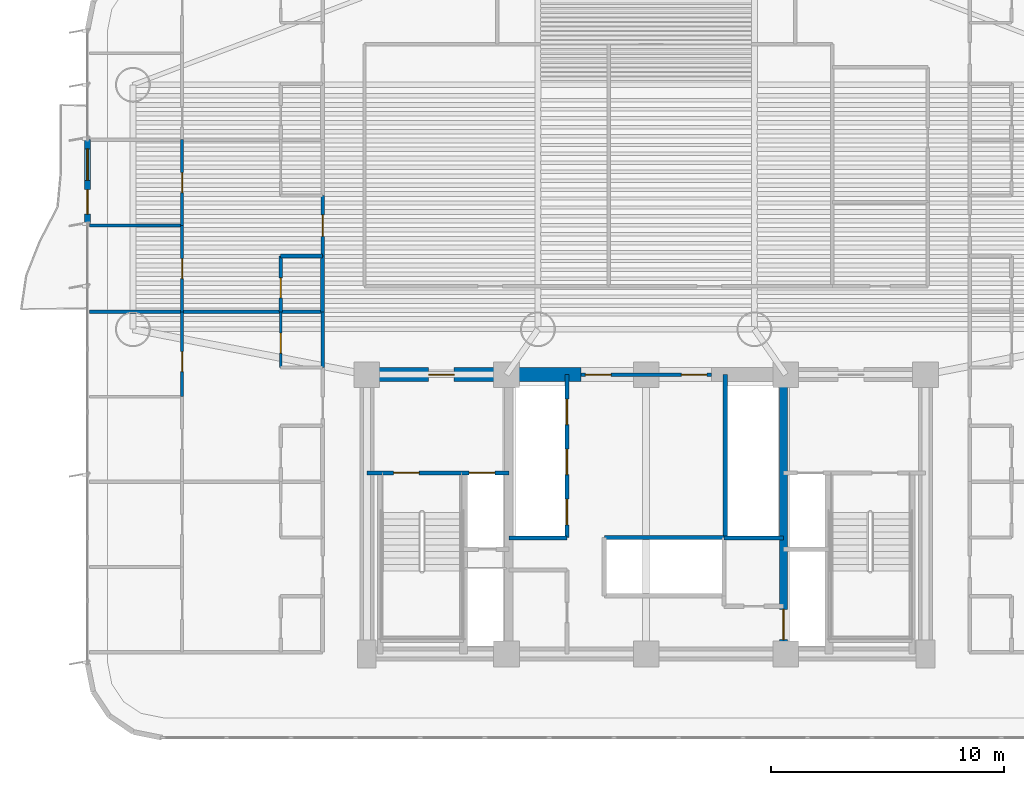
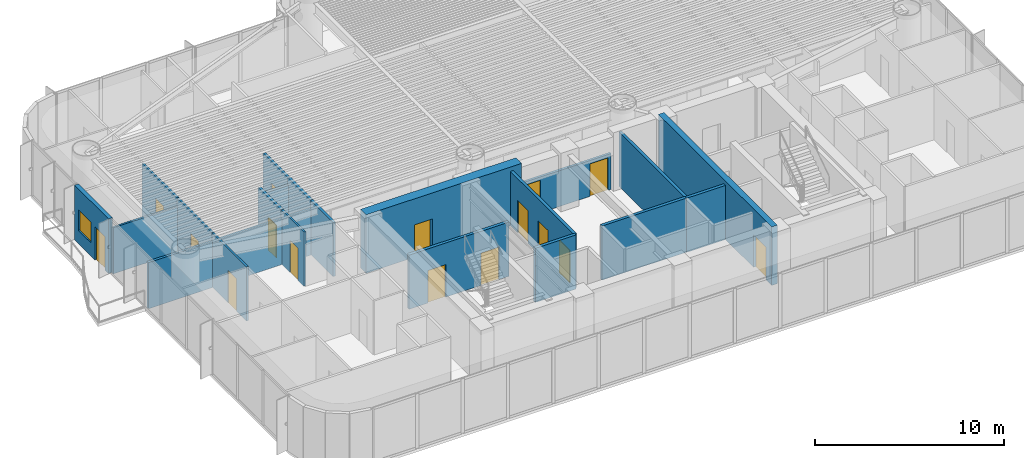
# One storey, part 11 of 19: 21 walls, 16 doors, 1 window, 17 openings.
"""IFC4 building model written with IfcOpenShell, lengths in metres."""

from ifc_helpers import new_model, si_unit, direction, frame, frame_2d, origin, origin_2d, place, context, subcontext, project, spatial, rectangle, extrude, source, transform, mapped, material, layer, layer_set, type_object, element, fill, save


model = new_model("IFC4")

# Units and contexts
model_context = context("Model", 3, precision=1e-05, world=origin(), true_north=direction((0.0, 1.0)))
body_context = subcontext(model_context, "Body", "Model", "MODEL_VIEW")
ifc_project = project(units=[si_unit("LENGTHUNIT", "METRE"), si_unit("AREAUNIT", "SQUARE_METRE"), si_unit("VOLUMEUNIT", "CUBIC_METRE"), si_unit("PLANEANGLEUNIT", "RADIAN"), si_unit("MASSUNIT", "GRAM", prefix="KILO")], contexts=[model_context])

# Site, building, storey
site_placement = place(None, origin())
site = spatial("IfcSite", under=ifc_project, at=site_placement, CompositionType="ELEMENT")
building_placement = place(site_placement, origin())
building = spatial("IfcBuilding", under=site, at=building_placement, Name="Brelvock Crest Care Tower", CompositionType="ELEMENT")
storey_placement = place(building_placement, frame((0.0, 0.0, 34.56005859375)))
storey = spatial("IfcBuildingStorey", under=building, at=storey_placement, Name="L08", CompositionType="ELEMENT", Elevation=34.56005859375)

# Wall, opening, door
ifc_material_1 = material(Name="Concrete S80 (80 MPa)", Category="concrete")
ifc_layer_1 = layer(ifc_material_1, 0.60009765625, Name="WL-CS1")
ifc_layer_set_1 = layer_set([ifc_layer_1], Name="Concrete S80 (80 MPa)")
wall_type_1 = type_object("IfcWallType", Name="WL-CS1", PredefinedType="SHEAR", material=ifc_layer_set_1)
wall_1_placement = place(storey_placement, frame((23.699951171875, 18.0, 0.0), z_axis=(0.0, 0.0, 1.0), x_axis=(1.0, 0.0, 0.0)))
wall_1 = element("IfcWall", 1, at=wall_1_placement, inside=storey, type_object=wall_type_1, Name="L08 Core North-West Shear Wall", PredefinedType="SHEAR", context=body_context, shape_type="SweptSolid", body=[
    extrude(rectangle(XDim=9.5, YDim=0.60009765625, at=frame_2d((4.75, 0.0))), origin(), (0.0, 0.0, 1.0), 3.780029296875),
])
opening_1_placement = place(wall_1_placement, frame((2.949951171875, 0.0, 0.0)))
opening_1 = element("IfcOpeningElement", 2, at=opening_1_placement, cuts=wall_1, Name="Opening FD-1", PredefinedType="OPENING", context=body_context, shape_type="SweptSolid", body=[
    extrude(rectangle(XDim=1.10009765625, YDim=2.10009765625, at=origin_2d()), frame((0.550048828125, 0.31005859375, 1.050048828125), z_axis=(0.0, -1.0, 0.0), x_axis=(1.0, 0.0, 0.0)), (0.0, 0.0, 1.0), 0.6201171875),
])
ifc_material_2 = material(Name="Steel Grade 350", Category="steel")
door_type_1 = type_object("IfcDoorType", Name="DR-FFL1", OperationType="NOTDEFINED", PredefinedType="DOOR", material=ifc_material_2)
shared_shape_1 = source(origin(), body_context, "Body", "SweptSolid", [
    extrude(rectangle(XDim=1.10009765625, YDim=2.10009765625, at=origin_2d()), frame((0.550048828125, 0.02490234375, 1.050048828125), z_axis=(0.0, -1.0, 0.0), x_axis=(1.0, 0.0, 0.0)), (0.0, 0.0, 1.0), 0.050048828125),
])
door_1_placement = place(opening_1_placement, origin())
door_1 = element("IfcDoor", 3, at=door_1_placement, inside=storey, type_object=door_type_1, Name="L08 Firefighting Lobby FFL-1 Exit Door", OperationType="SINGLE_SWING_LEFT", OverallHeight=2.10009765625, OverallWidth=1.10009765625, PredefinedType="DOOR", context=body_context, shape_type="MappedRepresentation", body=[
    mapped(shared_shape_1, transform((0.0, 0.0, 0.0), x_axis=(1.0, 0.0, 0.0), y_axis=(0.0, 1.0, 0.0), z_axis=(0.0, 0.0, 1.0), scale=1.0)),
])
fill(opening_1, door_1)

ifc_layer_2 = layer(ifc_material_1, 0.35009765625, Name="WL-CS5")
ifc_layer_set_2 = layer_set([ifc_layer_2], Name="Concrete S80 (80 MPa)")
wall_type_2 = type_object("IfcWallType", Name="WL-CS5", PredefinedType="SHEAR", material=ifc_layer_set_2)
wall_2_placement = place(storey_placement, frame((41.89990234375, 18.0, 0.0), z_axis=(0.0, 0.0, 1.0), x_axis=(0.0, -1.0, 0.0)))
wall_2 = element("IfcWall", 4, at=wall_2_placement, inside=storey, type_object=wall_type_2, Name="L08 Core Internal Web Wall East", PredefinedType="SHEAR", context=body_context, shape_type="SweptSolid", body=[
    extrude(rectangle(XDim=12.0, YDim=0.35009765625, at=frame_2d((6.0, 0.0))), origin(), (0.0, 0.0, 1.0), 3.780029296875),
])
opening_2_placement = place(wall_2_placement, frame((10.080078125, 0.0, 0.0)))
opening_2 = element("IfcOpeningElement", 5, at=opening_2_placement, cuts=wall_2, Name="Opening LD-S", PredefinedType="OPENING", context=body_context, shape_type="SweptSolid", body=[
    extrude(rectangle(XDim=1.300048828125, YDim=2.10009765625, at=origin_2d()), frame((0.64990234375, 0.18505859375, 1.050048828125), z_axis=(0.0, -1.0, 0.0), x_axis=(1.0, 0.0, 0.0)), (0.0, 0.0, 1.0), 0.3701171875),
])
door_type_2 = type_object("IfcDoorType", Name="DR-LDS1", OperationType="NOTDEFINED", PredefinedType="DOOR", material=ifc_material_2)
shared_shape_2 = source(origin(), body_context, "Body", "SweptSolid", [
    extrude(rectangle(XDim=1.300048828125, YDim=2.10009765625, at=origin_2d()), frame((0.64990234375, 0.02490234375, 1.050048828125), z_axis=(0.0, -1.0, 0.0), x_axis=(1.0, 0.0, 0.0)), (0.0, 0.0, 1.0), 0.050048828125),
])
door_2_placement = place(opening_2_placement, origin())
door_2 = element("IfcDoor", 6, at=door_2_placement, inside=storey, type_object=door_type_2, Name="L08 Clinical Bed Lift SL-1 Landing Door", OperationType="SLIDING_TO_LEFT", OverallHeight=2.10009765625, OverallWidth=1.300048828125, PredefinedType="DOOR", context=body_context, shape_type="MappedRepresentation", body=[
    mapped(shared_shape_2, transform((0.0, 0.0, 0.0), x_axis=(1.0, 0.0, 0.0), y_axis=(0.0, 1.0, 0.0), z_axis=(0.0, 0.0, 1.0), scale=1.0)),
])
fill(opening_2, door_2)

# Wall, openings, door, window
ifc_material_3 = material(Name="Precast concrete N40 (40 MPa)", Category="concrete")
ifc_layer_3 = layer(ifc_material_3, 0.239990234375, Name="WL-EX1")
ifc_layer_set_3 = layer_set([ifc_layer_3], Name="Precast concrete N40 (40 MPa)")
wall_type_3 = type_object("IfcWallType", Name="WL-EX1", PredefinedType="SOLIDWALL", material=ifc_layer_set_3)
wall_3_placement = place(storey_placement, frame((12.0, 24.5, 0.0), z_axis=(0.0, 0.0, 1.0), x_axis=(0.0, 1.0, 0.0)))
wall_3 = element("IfcWall", 7, at=wall_3_placement, inside=storey, type_object=wall_type_3, Name="L08 Exterior Spandrel Wall WL-BAL-L08-W", PredefinedType="SOLIDWALL", context=body_context, shape_type="SweptSolid", body=[
    extrude(rectangle(XDim=3.60009765625, YDim=0.239990234375, at=frame_2d((1.800048828125, 0.0))), origin(), (0.0, 0.0, 1.0), 3.530029296875),
])
opening_3_placement = place(wall_3_placement, frame((0.39990234375, 0.0, 0.0)))
opening_3 = element("IfcOpeningElement", 8, at=opening_3_placement, cuts=wall_3, Name="Opening BD-1", PredefinedType="OPENING", context=body_context, shape_type="SweptSolid", body=[
    extrude(rectangle(XDim=1.050048828125, YDim=2.14990234375, at=origin_2d()), frame((0.52490234375, 0.1298828125, 1.074951171875), z_axis=(0.0, -1.0, 0.0), x_axis=(1.0, 0.0, 0.0)), (0.0, 0.0, 1.0), 0.260009765625),
])
opening_4_placement = place(wall_3_placement, frame((1.85009765625, 0.0, 0.85009765625)))
opening_4 = element("IfcOpeningElement", 9, at=opening_4_placement, cuts=wall_3, Name="Opening W-01", PredefinedType="OPENING", context=body_context, shape_type="SweptSolid", body=[
    extrude(rectangle(XDim=1.35009765625, YDim=1.35009765625, at=origin_2d()), frame((0.675048828125, 0.1298828125, 0.675048828125), z_axis=(0.0, -1.0, 0.0), x_axis=(1.0, 0.0, 0.0)), (0.0, 0.0, 1.0), 0.260009765625),
])
ifc_material_4 = material(Name="Dark Glass Double Glazed Low-E", Category="glass")
door_type_3 = type_object("IfcDoorType", Name="DR-BAL1", OperationType="NOTDEFINED", PredefinedType="DOOR", material=ifc_material_4)
shared_shape_3 = source(origin(), body_context, "Body", "SweptSolid", [
    extrude(rectangle(XDim=1.050048828125, YDim=2.14990234375, at=origin_2d()), frame((0.52490234375, 0.02490234375, 1.074951171875), z_axis=(0.0, -1.0, 0.0), x_axis=(1.0, 0.0, 0.0)), (0.0, 0.0, 1.0), 0.050048828125),
])
door_3_placement = place(opening_3_placement, origin())
door_3 = element("IfcDoor", 10, at=door_3_placement, inside=storey, type_object=door_type_3, Name="L08 W Wave Balcony Glazed Door", OperationType="SINGLE_SWING_LEFT", OverallHeight=2.14990234375, OverallWidth=1.050048828125, PredefinedType="DOOR", context=body_context, shape_type="MappedRepresentation", body=[
    mapped(shared_shape_3, transform((0.0, 0.0, 0.0), x_axis=(1.0, 0.0, 0.0), y_axis=(0.0, 1.0, 0.0), z_axis=(0.0, 0.0, 1.0), scale=1.0)),
])
fill(opening_3, door_3)
window_type = type_object("IfcWindowType", Name="WN-EX1", PartitioningType="SINGLE_PANEL", PredefinedType="WINDOW", material=ifc_material_4)
shared_shape_4 = source(origin(), body_context, "Body", "SweptSolid", [
    extrude(rectangle(XDim=1.35009765625, YDim=1.35009765625, at=origin_2d()), frame((0.675048828125, 0.030029296875, 0.675048828125), z_axis=(0.0, -1.0, 0.0), x_axis=(1.0, 0.0, 0.0)), (0.0, 0.0, 1.0), 0.06005859375),
])
window_placement = place(opening_4_placement, origin())
window = element("IfcWindow", 11, at=window_placement, inside=storey, type_object=window_type, Name="L08 W Suite Casement Window", OverallHeight=1.35009765625, OverallWidth=1.35009765625, PartitioningType="SINGLE_PANEL", PredefinedType="WINDOW", context=body_context, shape_type="MappedRepresentation", body=[
    mapped(shared_shape_4, transform((0.0, 0.0, 0.0), x_axis=(1.0, 0.0, 0.0), y_axis=(0.0, 1.0, 0.0), z_axis=(0.0, 0.0, 1.0), scale=1.0)),
])
fill(opening_4, window)

# Wall, openings, doors
ifc_material_5 = material(Name="Masonry Blockwork Acoustic Partition", Category="masonry")
ifc_layer_4 = layer(ifc_material_5, 0.14990234375, Name="WL-INT1")
ifc_layer_set_4 = layer_set([ifc_layer_4], Name="Masonry Blockwork Acoustic Partition")
wall_type_4 = type_object("IfcWallType", Name="WL-INT1", PredefinedType="PARTITIONING", material=ifc_layer_set_4)
wall_4_placement = place(storey_placement, frame((33.199951171875, 18.0, 0.0), z_axis=(0.0, 0.0, 1.0), x_axis=(1.0, 0.0, 0.0)))
wall_4 = element("IfcWall", 12, at=wall_4_placement, inside=storey, type_object=wall_type_4, Name="L08 Interior Wall WL-CORE-NPORT-L08", PredefinedType="PARTITIONING", context=body_context, shape_type="SweptSolid", body=[
    extrude(rectangle(XDim=5.60009765625, YDim=0.14990234375, at=frame_2d((2.800048828125, 0.0))), origin(), (0.0, 0.0, 1.0), 2.31494140625),
])
opening_5_placement = place(wall_4_placement, frame((0.18994140625, 0.0, 0.0)))
opening_5 = element("IfcOpeningElement", 13, at=opening_5_placement, cuts=wall_4, Name="Opening FD-1", PredefinedType="OPENING", context=body_context, shape_type="SweptSolid", body=[
    extrude(rectangle(XDim=1.10009765625, YDim=2.10009765625, at=origin_2d()), frame((0.550048828125, 0.0849609375, 1.050048828125), z_axis=(0.0, -1.0, 0.0), x_axis=(1.0, 0.0, 0.0)), (0.0, 0.0, 1.0), 0.169921875),
])
opening_6_placement = place(wall_4_placement, frame((4.31005859375, 0.0, 0.0)))
opening_6 = element("IfcOpeningElement", 14, at=opening_6_placement, cuts=wall_4, Name="Opening FD-1", PredefinedType="OPENING", context=body_context, shape_type="SweptSolid", body=[
    extrude(rectangle(XDim=1.10009765625, YDim=2.10009765625, at=origin_2d()), frame((0.550048828125, 0.0849609375, 1.050048828125), z_axis=(0.0, -1.0, 0.0), x_axis=(1.0, 0.0, 0.0)), (0.0, 0.0, 1.0), 0.169921875),
])
door_4_placement = place(opening_5_placement, origin())
door_4 = element("IfcDoor", 15, at=door_4_placement, inside=storey, type_object=door_type_1, Name="L08 Lift Lobby North Smoke Door West", OperationType="SINGLE_SWING_LEFT", OverallHeight=2.10009765625, OverallWidth=1.10009765625, PredefinedType="DOOR", context=body_context, shape_type="MappedRepresentation", body=[
    mapped(shared_shape_1, transform((0.0, 0.0, 0.0), x_axis=(1.0, 0.0, 0.0), y_axis=(0.0, 1.0, 0.0), z_axis=(0.0, 0.0, 1.0), scale=1.0)),
])
fill(opening_5, door_4)
door_5_placement = place(opening_6_placement, origin())
door_5 = element("IfcDoor", 16, at=door_5_placement, inside=storey, type_object=door_type_1, Name="L08 Lift Lobby North Smoke Door East", OperationType="SINGLE_SWING_RIGHT", OverallHeight=2.10009765625, OverallWidth=1.10009765625, PredefinedType="DOOR", context=body_context, shape_type="MappedRepresentation", body=[
    mapped(shared_shape_1, transform((0.0, 0.0, 0.0), x_axis=(1.0, 0.0, 0.0), y_axis=(0.0, 1.0, 0.0), z_axis=(0.0, 0.0, 1.0), scale=1.0)),
])
fill(opening_6, door_5)

# Walls
wall_5_placement = place(storey_placement, frame((12.080078125, 20.699951171875, 0.0), z_axis=(0.0, 0.0, 1.0), x_axis=(1.0, 0.0, 0.0)))
element("IfcWall", 17, at=wall_5_placement, inside=storey, type_object=wall_type_4, Name="L08 Interior Wall WL-BX-L08-FL-WW2-N", PredefinedType="PARTITIONING", context=body_context, shape_type="SweptSolid", body=[
    extrude(rectangle(XDim=10.02001953125, YDim=0.14990234375, at=frame_2d((5.010009765625, 0.0))), origin(), (0.0, 0.0, 1.0), 2.98193359375),
])
wall_6_placement = place(storey_placement, frame((22.10009765625, 18.300048828125, 0.0), z_axis=(0.0, 0.0, 1.0), x_axis=(0.0, 1.0, 0.0)))
element("IfcWall", 18, at=wall_6_placement, inside=storey, type_object=wall_type_4, Name="L08 Interior Wall WL-UCK-L08-WW2", PredefinedType="PARTITIONING", context=body_context, shape_type="SweptSolid", body=[
    extrude(rectangle(XDim=2.39990234375, YDim=0.14990234375, at=frame_2d((1.199951171875, 0.0))), origin(), (0.0, 0.0, 1.0), 3.5),
])

# Wall, opening, door
wall_7_placement = place(storey_placement, frame((22.10009765625, 23.10009765625, 0.0), z_axis=(0.0, 0.0, 1.0), x_axis=(0.0, 1.0, 0.0)))
wall_7 = element("IfcWall", 19, at=wall_7_placement, inside=storey, type_object=wall_type_4, Name="L08 Interior Wall WL-UENT-L08-WW3", PredefinedType="PARTITIONING", context=body_context, shape_type="SweptSolid", body=[
    extrude(rectangle(XDim=2.599853515625, YDim=0.14990234375, at=frame_2d((1.2998046875, 0.0))), origin(), (0.0, 0.0, 1.0), 3.5),
])
opening_7_placement = place(wall_7_placement, frame((0.840087890625, 0.0, 0.0)))
opening_7 = element("IfcOpeningElement", 20, at=opening_7_placement, cuts=wall_7, Name="Opening AD-1", PredefinedType="OPENING", context=body_context, shape_type="SweptSolid", body=[
    extrude(rectangle(XDim=0.919921875, YDim=2.10009765625, at=origin_2d()), frame((0.4599609375, 0.0849609375, 1.050048828125), z_axis=(0.0, -1.0, 0.0), x_axis=(1.0, 0.0, 0.0)), (0.0, 0.0, 1.0), 0.169921875),
])
ifc_material_6 = material(Name="Engineered Hardwood Timber", Category="wood")
door_type_4 = type_object("IfcDoorType", Name="DR-APT1", OperationType="NOTDEFINED", PredefinedType="DOOR", material=ifc_material_6)
shared_shape_5 = source(origin(), body_context, "Body", "SweptSolid", [
    extrude(rectangle(XDim=0.919921875, YDim=2.10009765625, at=origin_2d()), frame((0.4599609375, 0.02490234375, 1.050048828125), z_axis=(0.0, -1.0, 0.0), x_axis=(1.0, 0.0, 0.0)), (0.0, 0.0, 1.0), 0.050048828125),
])
door_6_placement = place(opening_7_placement, origin())
door_6 = element("IfcDoor", 21, at=door_6_placement, inside=storey, type_object=door_type_4, Name="L08 Apartment Entrance WW3", OperationType="SINGLE_SWING_LEFT", OverallHeight=2.10009765625, OverallWidth=0.919921875, PredefinedType="DOOR", context=body_context, shape_type="MappedRepresentation", body=[
    mapped(shared_shape_5, transform((0.0, 0.0, 0.0), x_axis=(1.0, 0.0, 0.0), y_axis=(0.0, 1.0, 0.0), z_axis=(0.0, 0.0, 1.0), scale=1.0)),
])
fill(opening_7, door_6)

# Wall
ifc_material_7 = material(Name="Gypsum Plasterboard Partition", Category="gypsum")
ifc_layer_5 = layer(ifc_material_7, 0.1201171875, Name="WL-INT2")
ifc_layer_set_5 = layer_set([ifc_layer_5], Name="Gypsum Plasterboard Partition")
wall_type_5 = type_object("IfcWallType", Name="WL-INT2", PredefinedType="PARTITIONING", material=ifc_layer_set_5)
wall_8_placement = place(storey_placement, frame((12.080078125, 24.39990234375, 0.0), z_axis=(0.0, 0.0, 1.0), x_axis=(1.0, 0.0, 0.0)))
element("IfcWall", 22, at=wall_8_placement, inside=storey, type_object=wall_type_5, Name="L08 Interior Wall WL-UBSP-L08-WW3", PredefinedType="PARTITIONING", context=body_context, shape_type="SweptSolid", body=[
    extrude(rectangle(XDim=3.98388671875, YDim=0.1201171875, at=frame_2d((1.991943359375, 0.0))), origin(), (0.0, 0.0, 1.0), 2.98193359375),
])

# Wall, opening, door
wall_9_placement = place(storey_placement, frame((16.06396484375, 17.050048828125, 0.0), z_axis=(0.0, 0.0, 1.0), x_axis=(0.0, 1.0, 0.0)))
wall_9 = element("IfcWall", 23, at=wall_9_placement, inside=storey, type_object=wall_type_5, Name="L08 Interior Wall WL-UBD2-L08-WW2", PredefinedType="PARTITIONING", context=body_context, shape_type="SweptSolid", body=[
    extrude(rectangle(XDim=3.64990234375, YDim=0.1201171875, at=frame_2d((1.824951171875, 0.0))), origin(), (0.0, 0.0, 1.0), 3.5),
])
opening_8_placement = place(wall_9_placement, frame((1.074951171875, 0.0, 0.0)))
opening_8 = element("IfcOpeningElement", 24, at=opening_8_placement, cuts=wall_9, Name="Opening ID-1", PredefinedType="OPENING", context=body_context, shape_type="SweptSolid", body=[
    extrude(rectangle(XDim=0.860107421875, YDim=2.10009765625, at=origin_2d()), frame((0.43017578125, 0.070068359375, 1.050048828125), z_axis=(0.0, -1.0, 0.0), x_axis=(1.0, 0.0, 0.0)), (0.0, 0.0, 1.0), 0.14013671875),
])
door_type_5 = type_object("IfcDoorType", Name="DR-INT1", OperationType="NOTDEFINED", PredefinedType="DOOR", material=ifc_material_6)
shared_shape_6 = source(origin(), body_context, "Body", "SweptSolid", [
    extrude(rectangle(XDim=0.860107421875, YDim=2.10009765625, at=origin_2d()), frame((0.43017578125, 0.02490234375, 1.050048828125), z_axis=(0.0, -1.0, 0.0), x_axis=(1.0, 0.0, 0.0)), (0.0, 0.0, 1.0), 0.050048828125),
])
door_7_placement = place(opening_8_placement, origin())
door_7 = element("IfcDoor", 25, at=door_7_placement, inside=storey, type_object=door_type_5, Name="L08 Second Room Door WW2", OperationType="SINGLE_SWING_LEFT", OverallHeight=2.10009765625, OverallWidth=0.860107421875, PredefinedType="DOOR", context=body_context, shape_type="MappedRepresentation", body=[
    mapped(shared_shape_6, transform((0.0, 0.0, 0.0), x_axis=(1.0, 0.0, 0.0), y_axis=(0.0, 1.0, 0.0), z_axis=(0.0, 0.0, 1.0), scale=1.0)),
])
fill(opening_8, door_7)

wall_10_placement = place(storey_placement, frame((16.06396484375, 20.699951171875, 0.0), z_axis=(0.0, 0.0, 1.0), x_axis=(0.0, 1.0, 0.0)))
wall_10 = element("IfcWall", 26, at=wall_10_placement, inside=storey, type_object=wall_type_5, Name="L08 Interior Wall WL-UBD1-L08-WW3", PredefinedType="PARTITIONING", context=body_context, shape_type="SweptSolid", body=[
    extrude(rectangle(XDim=3.699951171875, YDim=0.1201171875, at=frame_2d((1.85009765625, 0.0))), origin(), (0.0, 0.0, 1.0), 3.5),
])
opening_9_placement = place(wall_10_placement, frame((1.419921875, 0.0, 0.0)))
opening_9 = element("IfcOpeningElement", 27, at=opening_9_placement, cuts=wall_10, Name="Opening ID-1", PredefinedType="OPENING", context=body_context, shape_type="SweptSolid", body=[
    extrude(rectangle(XDim=0.860107421875, YDim=2.10009765625, at=origin_2d()), frame((0.43017578125, 0.070068359375, 1.050048828125), z_axis=(0.0, -1.0, 0.0), x_axis=(1.0, 0.0, 0.0)), (0.0, 0.0, 1.0), 0.14013671875),
])
door_8_placement = place(opening_9_placement, origin())
door_8 = element("IfcDoor", 28, at=door_8_placement, inside=storey, type_object=door_type_5, Name="L08 Primary Bedroom Door WW3", OperationType="SINGLE_SWING_RIGHT", OverallHeight=2.10009765625, OverallWidth=0.860107421875, PredefinedType="DOOR", context=body_context, shape_type="MappedRepresentation", body=[
    mapped(shared_shape_6, transform((0.0, 0.0, 0.0), x_axis=(1.0, 0.0, 0.0), y_axis=(0.0, 1.0, 0.0), z_axis=(0.0, 0.0, 1.0), scale=1.0)),
])
fill(opening_9, door_8)

wall_11_placement = place(storey_placement, frame((16.06396484375, 24.39990234375, 0.0), z_axis=(0.0, 0.0, 1.0), x_axis=(0.0, 1.0, 0.0)))
wall_11 = element("IfcWall", 29, at=wall_11_placement, inside=storey, type_object=wall_type_5, Name="L08 Interior Wall WL-UBD2-L08-WW3", PredefinedType="PARTITIONING", context=body_context, shape_type="SweptSolid", body=[
    extrude(rectangle(XDim=3.7001953125, YDim=0.1201171875, at=frame_2d((1.85009765625, 0.0))), origin(), (0.0, 0.0, 1.0), 3.5),
])
opening_10_placement = place(wall_11_placement, frame((1.419921875, 0.0, 0.0)))
opening_10 = element("IfcOpeningElement", 30, at=opening_10_placement, cuts=wall_11, Name="Opening ID-1", PredefinedType="OPENING", context=body_context, shape_type="SweptSolid", body=[
    extrude(rectangle(XDim=0.860107421875, YDim=2.10009765625, at=origin_2d()), frame((0.43017578125, 0.070068359375, 1.050048828125), z_axis=(0.0, -1.0, 0.0), x_axis=(1.0, 0.0, 0.0)), (0.0, 0.0, 1.0), 0.14013671875),
])
door_9_placement = place(opening_10_placement, origin())
door_9 = element("IfcDoor", 31, at=door_9_placement, inside=storey, type_object=door_type_5, Name="L08 Second Room Door WW3", OperationType="SINGLE_SWING_LEFT", OverallHeight=2.10009765625, OverallWidth=0.860107421875, PredefinedType="DOOR", context=body_context, shape_type="MappedRepresentation", body=[
    mapped(shared_shape_6, transform((0.0, 0.0, 0.0), x_axis=(1.0, 0.0, 0.0), y_axis=(0.0, 1.0, 0.0), z_axis=(0.0, 0.0, 1.0), scale=1.0)),
])
fill(opening_10, door_9)

wall_12_placement = place(storey_placement, frame((20.300048828125, 18.300048828125, 0.0), z_axis=(0.0, 0.0, 1.0), x_axis=(0.0, 1.0, 0.0)))
wall_12 = element("IfcWall", 32, at=wall_12_placement, inside=storey, type_object=wall_type_5, Name="L08 Interior Wall WL-UKIT1-L08-WW2", PredefinedType="PARTITIONING", context=body_context, shape_type="SweptSolid", body=[
    extrude(rectangle(XDim=2.39990234375, YDim=0.1201171875, at=frame_2d((1.199951171875, 0.0))), origin(), (0.0, 0.0, 1.0), 3.5),
])
opening_11_placement = place(wall_12_placement, frame((0.6201171875, 0.0, 0.0)))
opening_11 = element("IfcOpeningElement", 33, at=opening_11_placement, cuts=wall_12, Name="Opening ID-1", PredefinedType="OPENING", context=body_context, shape_type="SweptSolid", body=[
    extrude(rectangle(XDim=0.860107421875, YDim=2.10009765625, at=origin_2d()), frame((0.43017578125, 0.070068359375, 1.050048828125), z_axis=(0.0, -1.0, 0.0), x_axis=(1.0, 0.0, 0.0)), (0.0, 0.0, 1.0), 0.14013671875),
])
door_10_placement = place(opening_11_placement, origin())
door_10 = element("IfcDoor", 34, at=door_10_placement, inside=storey, type_object=door_type_5, Name="L08 Kitchen Door WW2", OperationType="SINGLE_SWING_LEFT", OverallHeight=2.10009765625, OverallWidth=0.860107421875, PredefinedType="DOOR", context=body_context, shape_type="MappedRepresentation", body=[
    mapped(shared_shape_6, transform((0.0, 0.0, 0.0), x_axis=(1.0, 0.0, 0.0), y_axis=(0.0, 1.0, 0.0), z_axis=(0.0, 0.0, 1.0), scale=1.0)),
])
fill(opening_11, door_10)

# Wall
ifc_layer_6 = layer(ifc_material_7, 0.159912109375, Name="WL-PLM1")
ifc_layer_set_6 = layer_set([ifc_layer_6], Name="Gypsum Plasterboard Partition")
wall_type_6 = type_object("IfcWallType", Name="WL-PLM1", PredefinedType="PLUMBINGWALL", material=ifc_layer_set_6)
wall_13_placement = place(storey_placement, frame((20.300048828125, 23.10009765625, 0.0), z_axis=(0.0, 0.0, 1.0), x_axis=(1.0, 0.0, 0.0)))
element("IfcWall", 35, at=wall_13_placement, inside=storey, type_object=wall_type_6, Name="L08 Interior Wall WL-UBTH2-L08-WW3", PredefinedType="PLUMBINGWALL", context=body_context, shape_type="SweptSolid", body=[
    extrude(rectangle(XDim=1.800048828125, YDim=0.159912109375, at=frame_2d((0.89990234375, 0.0))), origin(), (0.0, 0.0, 1.0), 3.054931640625),
])

# Wall, opening, door
wall_14_placement = place(storey_placement, frame((20.300048828125, 20.699951171875, 0.0), z_axis=(0.0, 0.0, 1.0), x_axis=(0.0, 1.0, 0.0)))
wall_14 = element("IfcWall", 36, at=wall_14_placement, inside=storey, type_object=wall_type_6, Name="L08 Interior Wall WL-UBTH1-L08-WW3", PredefinedType="PLUMBINGWALL", context=body_context, shape_type="SweptSolid", body=[
    extrude(rectangle(XDim=2.400146484375, YDim=0.159912109375, at=frame_2d((1.2001953125, 0.0))), origin(), (0.0, 0.0, 1.0), 3.5),
])
opening_12_placement = place(wall_14_placement, frame((0.60009765625, 0.0, 0.0)))
opening_12 = element("IfcOpeningElement", 37, at=opening_12_placement, cuts=wall_14, Name="Opening WD-1", PredefinedType="OPENING", context=body_context, shape_type="SweptSolid", body=[
    extrude(rectangle(XDim=0.860107421875, YDim=2.10009765625, at=origin_2d()), frame((0.43017578125, 0.08984375, 1.050048828125), z_axis=(0.0, -1.0, 0.0), x_axis=(1.0, 0.0, 0.0)), (0.0, 0.0, 1.0), 0.179931640625),
])
door_type_6 = type_object("IfcDoorType", Name="DR-WC1", OperationType="NOTDEFINED", PredefinedType="DOOR", material=ifc_material_6)
shared_shape_7 = source(origin(), body_context, "Body", "SweptSolid", [
    extrude(rectangle(XDim=0.860107421875, YDim=2.10009765625, at=origin_2d()), frame((0.43017578125, 0.02490234375, 1.050048828125), z_axis=(0.0, -1.0, 0.0), x_axis=(1.0, 0.0, 0.0)), (0.0, 0.0, 1.0), 0.050048828125),
])
door_11_placement = place(opening_12_placement, origin())
door_11 = element("IfcDoor", 38, at=door_11_placement, inside=storey, type_object=door_type_6, Name="L08 Bathroom Door WW3", OperationType="SINGLE_SWING_LEFT", OverallHeight=2.10009765625, OverallWidth=0.860107421875, PredefinedType="DOOR", context=body_context, shape_type="MappedRepresentation", body=[
    mapped(shared_shape_7, transform((0.0, 0.0, 0.0), x_axis=(1.0, 0.0, 0.0), y_axis=(0.0, 1.0, 0.0), z_axis=(0.0, 0.0, 1.0), scale=1.0)),
])
fill(opening_12, door_11)

# Walls
wall_15_placement = place(storey_placement, frame((22.10009765625, 20.699951171875, 0.0), z_axis=(0.0, 0.0, 1.0), x_axis=(0.0, 1.0, 0.0)))
element("IfcWall", 39, at=wall_15_placement, inside=storey, type_object=wall_type_6, Name="L08 Interior Wall WL-UCB-L08-WW3", PredefinedType="PLUMBINGWALL", context=body_context, shape_type="SweptSolid", body=[
    extrude(rectangle(XDim=2.400146484375, YDim=0.159912109375, at=frame_2d((1.2001953125, 0.0))), origin(), (0.0, 0.0, 1.0), 3.5),
])
ifc_layer_7 = layer(ifc_material_5, 0.179931640625, Name="WL-SHF1")
ifc_layer_set_7 = layer_set([ifc_layer_7], Name="Masonry Blockwork Acoustic Partition")
wall_type_7 = type_object("IfcWallType", Name="WL-SHF1", PredefinedType="PARTITIONING", material=ifc_layer_set_7)
wall_16_placement = place(storey_placement, frame((34.199951171875, 11.0, 0.0), z_axis=(0.0, 0.0, 1.0), x_axis=(1.0, 0.0, 0.0)))
element("IfcWall", 40, at=wall_16_placement, inside=storey, type_object=wall_type_7, Name="L08 Interior Wall WL-PLM-SHF-L08", PredefinedType="PARTITIONING", context=body_context, shape_type="SweptSolid", body=[
    extrude(rectangle(XDim=5.150146484375, YDim=0.179931640625, at=frame_2d((2.5751953125, 0.0))), origin(), (0.0, 0.0, 1.0), 3.5),
])
wall_17_placement = place(storey_placement, frame((39.39990234375, 11.0, 0.0), z_axis=(0.0, 0.0, 1.0), x_axis=(0.0, 1.0, 0.0)))
element("IfcWall", 41, at=wall_17_placement, inside=storey, type_object=wall_type_7, Name="L08 Interior Wall WL-PLH-SHF-L08", PredefinedType="PARTITIONING", context=body_context, shape_type="SweptSolid", body=[
    extrude(rectangle(XDim=7.0, YDim=0.179931640625, at=frame_2d((3.5, 0.0))), origin(), (0.0, 0.0, 1.0), 3.5),
])
wall_18_placement = place(storey_placement, frame((30.10009765625, 10.97998046875, 0.0), z_axis=(0.0, 0.0, 1.0), x_axis=(1.0, 0.0, 0.0)))
element("IfcWall", 42, at=wall_18_placement, inside=storey, type_object=wall_type_7, Name="L08 Interior Wall WL-CSBW-N-L08", PredefinedType="PARTITIONING", context=body_context, shape_type="SweptSolid", body=[
    extrude(rectangle(XDim=2.5, YDim=0.179931640625, at=frame_2d((1.25, 0.0))), origin(), (0.0, 0.0, 1.0), 3.5),
])
wall_19_placement = place(storey_placement, frame((39.35009765625, 10.97998046875, 0.0), z_axis=(0.0, 0.0, 1.0), x_axis=(1.0, 0.0, 0.0)))
element("IfcWall", 43, at=wall_19_placement, inside=storey, type_object=wall_type_7, Name="L08 Interior Wall WL-CSBE-N-L08", PredefinedType="PARTITIONING", context=body_context, shape_type="SweptSolid", body=[
    extrude(rectangle(XDim=2.5498046875, YDim=0.179931640625, at=frame_2d((1.27490234375, 0.0))), origin(), (0.0, 0.0, 1.0), 3.5),
])

# Wall, openings, doors
wall_20_placement = place(storey_placement, frame((24.0, 13.780029296875, 0.0), z_axis=(0.0, 0.0, 1.0), x_axis=(1.0, 0.0, 0.0)))
wall_20 = element("IfcWall", 44, at=wall_20_placement, inside=storey, type_object=wall_type_7, Name="L08 Interior Wall WL-ST1-N-L08", PredefinedType="PARTITIONING", context=body_context, shape_type="SweptSolid", body=[
    extrude(rectangle(XDim=6.10009765625, YDim=0.179931640625, at=frame_2d((3.050048828125, 0.0))), origin(), (0.0, 0.0, 1.0), 3.5),
])
opening_13_placement = place(wall_20_placement, frame((1.14990234375, 0.0, 0.0)))
opening_13 = element("IfcOpeningElement", 45, at=opening_13_placement, cuts=wall_20, Name="Opening SD-1", PredefinedType="OPENING", context=body_context, shape_type="SweptSolid", body=[
    extrude(rectangle(XDim=1.10009765625, YDim=2.10009765625, at=origin_2d()), frame((0.550048828125, 0.10009765625, 1.050048828125), z_axis=(0.0, -1.0, 0.0), x_axis=(1.0, 0.0, 0.0)), (0.0, 0.0, 1.0), 0.199951171875),
])
opening_14_placement = place(wall_20_placement, frame((4.39990234375, 0.0, 0.0)))
opening_14 = element("IfcOpeningElement", 46, at=opening_14_placement, cuts=wall_20, Name="Opening LD", PredefinedType="OPENING", context=body_context, shape_type="SweptSolid", body=[
    extrude(rectangle(XDim=1.10009765625, YDim=2.10009765625, at=origin_2d()), frame((0.550048828125, 0.10009765625, 1.050048828125), z_axis=(0.0, -1.0, 0.0), x_axis=(1.0, 0.0, 0.0)), (0.0, 0.0, 1.0), 0.199951171875),
])
door_type_7 = type_object("IfcDoorType", Name="DR-ST1", OperationType="NOTDEFINED", PredefinedType="DOOR", material=ifc_material_2)
shared_shape_8 = source(origin(), body_context, "Body", "SweptSolid", [
    extrude(rectangle(XDim=1.10009765625, YDim=2.10009765625, at=origin_2d()), frame((0.550048828125, 0.02490234375, 1.050048828125), z_axis=(0.0, -1.0, 0.0), x_axis=(1.0, 0.0, 0.0)), (0.0, 0.0, 1.0), 0.050048828125),
])
door_12_placement = place(opening_13_placement, origin())
door_12 = element("IfcDoor", 47, at=door_12_placement, inside=storey, type_object=door_type_7, Name="L08 Fire Stair ST-1 Door", OperationType="SINGLE_SWING_LEFT", OverallHeight=2.10009765625, OverallWidth=1.10009765625, PredefinedType="DOOR", context=body_context, shape_type="MappedRepresentation", body=[
    mapped(shared_shape_8, transform((0.0, 0.0, 0.0), x_axis=(1.0, 0.0, 0.0), y_axis=(0.0, 1.0, 0.0), z_axis=(0.0, 0.0, 1.0), scale=1.0)),
])
fill(opening_13, door_12)
door_type_8 = type_object("IfcDoorType", Name="DR-LD1", OperationType="NOTDEFINED", PredefinedType="DOOR", material=ifc_material_2)
shared_shape_9 = source(origin(), body_context, "Body", "SweptSolid", [
    extrude(rectangle(XDim=1.10009765625, YDim=2.10009765625, at=origin_2d()), frame((0.550048828125, 0.02490234375, 1.050048828125), z_axis=(0.0, -1.0, 0.0), x_axis=(1.0, 0.0, 0.0)), (0.0, 0.0, 1.0), 0.050048828125),
])
door_13_placement = place(opening_14_placement, origin())
door_13 = element("IfcDoor", 48, at=door_13_placement, inside=storey, type_object=door_type_8, Name="L08 Firefighting Lift FFL-1 Landing Door", OperationType="SLIDING_TO_LEFT", OverallHeight=2.10009765625, OverallWidth=1.10009765625, PredefinedType="DOOR", context=body_context, shape_type="MappedRepresentation", body=[
    mapped(shared_shape_9, transform((0.0, 0.0, 0.0), x_axis=(1.0, 0.0, 0.0), y_axis=(0.0, 1.0, 0.0), z_axis=(0.0, 0.0, 1.0), scale=1.0)),
])
fill(opening_14, door_13)

wall_21_placement = place(storey_placement, frame((32.60009765625, 11.0, 0.0), z_axis=(0.0, 0.0, 1.0), x_axis=(0.0, 1.0, 0.0)))
wall_21 = element("IfcWall", 49, at=wall_21_placement, inside=storey, type_object=wall_type_7, Name="L08 Interior Wall WL-PLL-BANK-L08", PredefinedType="PARTITIONING", context=body_context, shape_type="SweptSolid", body=[
    extrude(rectangle(XDim=7.0, YDim=0.179931640625, at=frame_2d((3.5, 0.0))), origin(), (0.0, 0.0, 1.0), 3.5),
])
opening_15_placement = place(wall_21_placement, frame((0.550048828125, 0.0, 0.0)))
opening_15 = element("IfcOpeningElement", 50, at=opening_15_placement, cuts=wall_21, Name="Opening LD", PredefinedType="OPENING", context=body_context, shape_type="SweptSolid", body=[
    extrude(rectangle(XDim=1.10009765625, YDim=2.10009765625, at=origin_2d()), frame((0.550048828125, 0.10009765625, 1.050048828125), z_axis=(0.0, -1.0, 0.0), x_axis=(1.0, 0.0, 0.0)), (0.0, 0.0, 1.0), 0.199951171875),
])
opening_16_placement = place(wall_21_placement, frame((2.699951171875, 0.0, 0.0)))
opening_16 = element("IfcOpeningElement", 51, at=opening_16_placement, cuts=wall_21, Name="Opening LD", PredefinedType="OPENING", context=body_context, shape_type="SweptSolid", body=[
    extrude(rectangle(XDim=1.10009765625, YDim=2.10009765625, at=origin_2d()), frame((0.550048828125, 0.10009765625, 1.050048828125), z_axis=(0.0, -1.0, 0.0), x_axis=(1.0, 0.0, 0.0)), (0.0, 0.0, 1.0), 0.199951171875),
])
opening_17_placement = place(wall_21_placement, frame((4.85009765625, 0.0, 0.0)))
opening_17 = element("IfcOpeningElement", 52, at=opening_17_placement, cuts=wall_21, Name="Opening LD", PredefinedType="OPENING", context=body_context, shape_type="SweptSolid", body=[
    extrude(rectangle(XDim=1.10009765625, YDim=2.10009765625, at=origin_2d()), frame((0.550048828125, 0.10009765625, 1.050048828125), z_axis=(0.0, -1.0, 0.0), x_axis=(1.0, 0.0, 0.0)), (0.0, 0.0, 1.0), 0.199951171875),
])
door_14_placement = place(opening_15_placement, origin())
door_14 = element("IfcDoor", 53, at=door_14_placement, inside=storey, type_object=door_type_8, Name="L08 Lift PL-L1 Landing Door", OperationType="SLIDING_TO_LEFT", OverallHeight=2.10009765625, OverallWidth=1.10009765625, PredefinedType="DOOR", context=body_context, shape_type="MappedRepresentation", body=[
    mapped(shared_shape_9, transform((0.0, 0.0, 0.0), x_axis=(1.0, 0.0, 0.0), y_axis=(0.0, 1.0, 0.0), z_axis=(0.0, 0.0, 1.0), scale=1.0)),
])
fill(opening_15, door_14)
door_15_placement = place(opening_16_placement, origin())
door_15 = element("IfcDoor", 54, at=door_15_placement, inside=storey, type_object=door_type_8, Name="L08 Lift PL-L2 Landing Door", OperationType="SLIDING_TO_LEFT", OverallHeight=2.10009765625, OverallWidth=1.10009765625, PredefinedType="DOOR", context=body_context, shape_type="MappedRepresentation", body=[
    mapped(shared_shape_9, transform((0.0, 0.0, 0.0), x_axis=(1.0, 0.0, 0.0), y_axis=(0.0, 1.0, 0.0), z_axis=(0.0, 0.0, 1.0), scale=1.0)),
])
fill(opening_16, door_15)
door_16_placement = place(opening_17_placement, origin())
door_16 = element("IfcDoor", 55, at=door_16_placement, inside=storey, type_object=door_type_8, Name="L08 Lift PL-L3 Landing Door", OperationType="SLIDING_TO_LEFT", OverallHeight=2.10009765625, OverallWidth=1.10009765625, PredefinedType="DOOR", context=body_context, shape_type="MappedRepresentation", body=[
    mapped(shared_shape_9, transform((0.0, 0.0, 0.0), x_axis=(1.0, 0.0, 0.0), y_axis=(0.0, 1.0, 0.0), z_axis=(0.0, 0.0, 1.0), scale=1.0)),
])
fill(opening_17, door_16)

save(model, "model.ifc")
